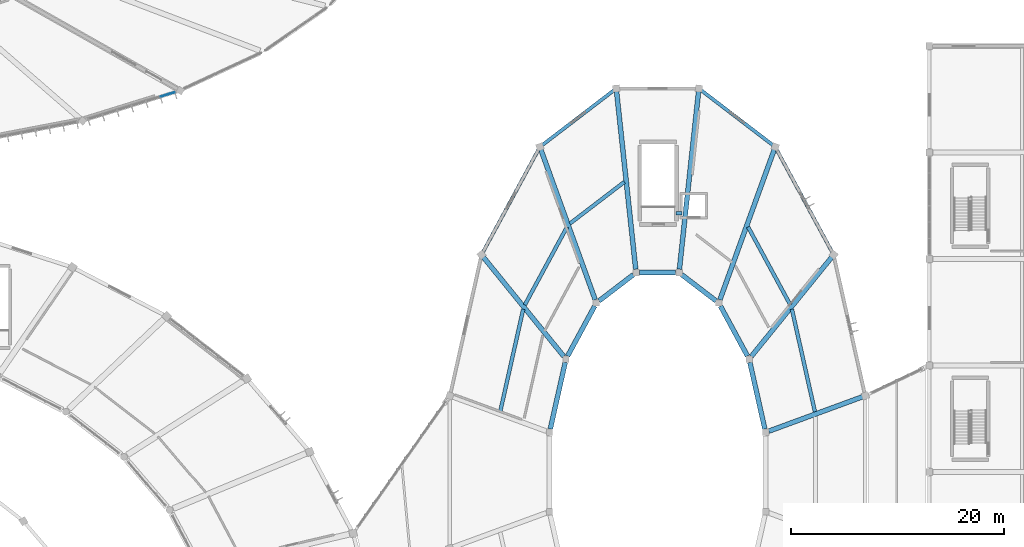
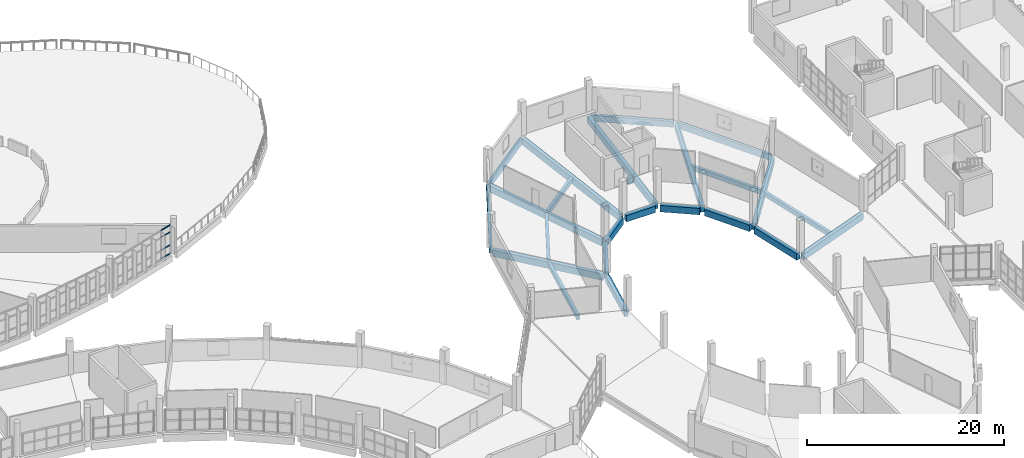
# One storey, part 62 of 142: 24 beams, 4 members, 1 element without a shape of its own.
"""IFC4 building model written with IfcOpenShell, lengths in metres."""

from ifc_helpers import new_model, si_unit, direction, frame, origin, origin_2d, place, context, subcontext, project, spatial, rectangle, extrude, material, layer, layer_set, material_profile, profile_set, type_object, element, aggregate, save


model = new_model("IFC4")

# Units and contexts
model_context = context("Model", 3, precision=1e-05, world=origin(), true_north=direction((0.0, 1.0)))
body_context = subcontext(model_context, "Body", "Model", "MODEL_VIEW")
ifc_project = project(units=[si_unit("LENGTHUNIT", "METRE"), si_unit("AREAUNIT", "SQUARE_METRE"), si_unit("VOLUMEUNIT", "CUBIC_METRE"), si_unit("PLANEANGLEUNIT", "RADIAN"), si_unit("MASSUNIT", "GRAM", prefix="KILO")], contexts=[model_context])

# Site, building, storey
site_placement = place(None, origin())
site = spatial("IfcSite", under=ifc_project, at=site_placement, CompositionType="ELEMENT")
building_placement = place(site_placement, origin())
building = spatial("IfcBuilding", under=site, at=building_placement, Name="Corvandel Quay Wholesale Market", CompositionType="ELEMENT")
storey_placement = place(building_placement, frame((0.0, 0.0, 10.800048828125)))
storey = spatial("IfcBuildingStorey", under=building, at=storey_placement, Name="L02", CompositionType="ELEMENT", Elevation=10.800048828125)

# Beams
ifc_material_1 = material(Name="Precast concrete C45/55", Category="concrete")
ifc_material_profile_1 = material_profile(ifc_material_1, rectangle(XDim=0.449951171875, YDim=0.800048828125, at=origin_2d()), Name="PC-GIR-450x800")
ifc_profile_set_1 = profile_set([ifc_material_profile_1], Name="Precast concrete C45/55")
beam_type_1 = type_object("IfcBeamType", Name="Auction Pavilion Girder G05 450x800", PredefinedType="USERDEFINED", material=ifc_profile_set_1)
beam_1_placement = place(storey_placement, frame((204.56982421875, 64.0361328125, -0.6201171875), z_axis=(-0.218962135598, 0.975733356596, 0.0), x_axis=(-0.975733356596, -0.218962135598, 0.0)))
element("IfcBeam", 1, at=beam_1_placement, inside=storey, type_object=beam_type_1, Name="Beam BM-0774", ObjectType="GIRDER", PredefinedType="USERDEFINED", context=body_context, shape_type="SweptSolid", body=[
    extrude(rectangle(XDim=0.449951171875, YDim=0.800048828125, at=origin_2d()), origin(), (0.0, 0.0, 1.0), 6.4111328125),
])
beam_2_placement = place(storey_placement, frame((213.74658203125, 67.06787109375, -0.6201171875), z_axis=(-0.938713588156, -0.344698127949, 0.0), x_axis=(0.344698127949, -0.938713588156, 0.0)))
element("IfcBeam", 2, at=beam_2_placement, inside=storey, type_object=beam_type_1, Name="Beam BM-0775", ObjectType="GIRDER", PredefinedType="USERDEFINED", context=body_context, shape_type="SweptSolid", body=[
    extrude(rectangle(XDim=0.449951171875, YDim=0.800048828125, at=origin_2d()), origin(), (0.0, 0.0, 1.0), 9.381103515625),
])
beam_3_placement = place(storey_placement, frame((202.943603515625, 70.885498046875, -0.6201171875), z_axis=(-0.476224328517, 0.879323824839, 0.0), x_axis=(-0.879323824839, -0.476224328517, 0.0)))
element("IfcBeam", 3, at=beam_3_placement, inside=storey, type_object=beam_type_1, Name="Beam BM-0785", ObjectType="GIRDER", PredefinedType="USERDEFINED", context=body_context, shape_type="SweptSolid", body=[
    extrude(rectangle(XDim=0.449951171875, YDim=0.800048828125, at=origin_2d()), origin(), (0.0, 0.0, 1.0), 5.3486328125),
])
beam_4_placement = place(storey_placement, frame((210.861083984375, 80.182373046875, -0.6201171875), z_axis=(-0.629738976738, -0.776806810718, 0.0), x_axis=(0.776806810718, -0.629738976738, 0.0)))
element("IfcBeam", 4, at=beam_4_placement, inside=storey, type_object=beam_type_1, Name="Beam BM-0786", ObjectType="GIRDER", PredefinedType="USERDEFINED", context=body_context, shape_type="SweptSolid", body=[
    extrude(rectangle(XDim=0.449951171875, YDim=0.800048828125, at=origin_2d()), origin(), (0.0, 0.0, 1.0), 12.010498046875),
])
beam_5_placement = place(storey_placement, frame((199.98974609375, 76.064453125, -0.6201171875), z_axis=(-0.794361253638, 0.607445634372, 0.0), x_axis=(-0.607445634372, -0.794361253638, 0.0)))
element("IfcBeam", 5, at=beam_5_placement, inside=storey, type_object=beam_type_1, Name="Beam BM-0795", ObjectType="GIRDER", PredefinedType="USERDEFINED", context=body_context, shape_type="SweptSolid", body=[
    extrude(rectangle(XDim=0.449951171875, YDim=0.800048828125, at=origin_2d()), origin(), (0.0, 0.0, 1.0), 4.0517578125),
])
beam_6_placement = place(storey_placement, frame((205.4541015625, 90.26513671875, -0.6201171875), z_axis=(-0.340336804359, -0.940303599695, 0.0), x_axis=(0.940303599695, -0.340336804359, 0.0)))
element("IfcBeam", 6, at=beam_6_placement, inside=storey, type_object=beam_type_1, Name="Beam BM-0796", ObjectType="GIRDER", PredefinedType="USERDEFINED", context=body_context, shape_type="SweptSolid", body=[
    extrude(rectangle(XDim=0.449951171875, YDim=0.800048828125, at=origin_2d()), origin(), (0.0, 0.0, 1.0), 14.989013671875),
])
beam_7_placement = place(storey_placement, frame((196.197021484375, 78.719970703125, -0.6201171875), z_axis=(-1.0, 0.0, 0.0), x_axis=(0.0, -1.0, 0.0)))
element("IfcBeam", 7, at=beam_7_placement, inside=storey, type_object=beam_type_1, Name="Beam BM-0804", ObjectType="GIRDER", PredefinedType="USERDEFINED", context=body_context, shape_type="SweptSolid", body=[
    extrude(rectangle(XDim=0.449951171875, YDim=0.800048828125, at=origin_2d()), origin(), (0.0, 0.0, 1.0), 3.39404296875),
])
beam_8_placement = place(storey_placement, frame((198.35009765625, 95.731689453125, -0.6201171875), z_axis=(-0.107135339087, -0.99424444636, 0.0), x_axis=(0.99424444636, -0.107135339087, 0.0)))
element("IfcBeam", 8, at=beam_8_placement, inside=storey, type_object=beam_type_1, Name="Beam BM-0805", ObjectType="GIRDER", PredefinedType="USERDEFINED", context=body_context, shape_type="SweptSolid", body=[
    extrude(rectangle(XDim=0.449951171875, YDim=0.800048828125, at=origin_2d()), origin(), (0.0, 0.0, 1.0), 16.790283203125),
])
beam_9_placement = place(storey_placement, frame((192.228759765625, 78.525634765625, -0.6201171875), z_axis=(-0.794361253638, -0.607445634372, 0.0), x_axis=(0.607445634372, -0.794361253638, 0.0)))
element("IfcBeam", 9, at=beam_9_placement, inside=storey, type_object=beam_type_1, Name="Beam BM-0814", ObjectType="GIRDER", PredefinedType="USERDEFINED", context=body_context, shape_type="SweptSolid", body=[
    extrude(rectangle(XDim=0.449951171875, YDim=0.800048828125, at=origin_2d()), origin(), (0.0, 0.0, 1.0), 4.0517578125),
])
beam_10_placement = place(storey_placement, frame((190.64990234375, 95.731689453125, -0.6201171875), z_axis=(0.107135339087, -0.99424444636, 0.0), x_axis=(0.99424444636, 0.107135339087, 0.0)))
element("IfcBeam", 10, at=beam_10_placement, inside=storey, type_object=beam_type_1, Name="Beam BM-0815", ObjectType="GIRDER", PredefinedType="USERDEFINED", context=body_context, shape_type="SweptSolid", body=[
    extrude(rectangle(XDim=0.449951171875, YDim=0.800048828125, at=origin_2d()), origin(), (0.0, 0.0, 1.0), 16.790283203125),
])
beam_11_placement = place(storey_placement, frame((188.603515625, 75.588623046875, -0.6201171875), z_axis=(-0.476224328517, -0.879323824839, 0.0), x_axis=(0.879323824839, -0.476224328517, 0.0)))
element("IfcBeam", 11, at=beam_11_placement, inside=storey, type_object=beam_type_1, Name="Beam BM-0825", ObjectType="GIRDER", PredefinedType="USERDEFINED", context=body_context, shape_type="SweptSolid", body=[
    extrude(rectangle(XDim=0.449951171875, YDim=0.800048828125, at=origin_2d()), origin(), (0.0, 0.0, 1.0), 5.3486328125),
])
beam_12_placement = place(storey_placement, frame((183.5458984375, 90.26513671875, -0.6201171875), z_axis=(0.340336804359, -0.940303599695, 0.0), x_axis=(0.940303599695, 0.340336804359, 0.0)))
element("IfcBeam", 12, at=beam_12_placement, inside=storey, type_object=beam_type_1, Name="Beam BM-0826", ObjectType="GIRDER", PredefinedType="USERDEFINED", context=body_context, shape_type="SweptSolid", body=[
    extrude(rectangle(XDim=0.449951171875, YDim=0.800048828125, at=origin_2d()), origin(), (0.0, 0.0, 1.0), 14.989013671875),
])
beam_13_placement = place(storey_placement, frame((185.833984375, 70.291748046875, -0.6201171875), z_axis=(-0.218962135598, -0.975733356596, 0.0), x_axis=(0.975733356596, -0.218962135598, 0.0)))
element("IfcBeam", 13, at=beam_13_placement, inside=storey, type_object=beam_type_1, Name="Beam BM-0836", ObjectType="GIRDER", PredefinedType="USERDEFINED", context=body_context, shape_type="SweptSolid", body=[
    extrude(rectangle(XDim=0.449951171875, YDim=0.800048828125, at=origin_2d()), origin(), (0.0, 0.0, 1.0), 6.4111328125),
])
beam_14_placement = place(storey_placement, frame((178.138916015625, 80.182373046875, -0.6201171875), z_axis=(0.629738976738, -0.776806810718, 0.0), x_axis=(0.776806810718, 0.629738976738, 0.0)))
element("IfcBeam", 14, at=beam_14_placement, inside=storey, type_object=beam_type_1, Name="Beam BM-0837", ObjectType="GIRDER", PredefinedType="USERDEFINED", context=body_context, shape_type="SweptSolid", body=[
    extrude(rectangle(XDim=0.449951171875, YDim=0.800048828125, at=origin_2d()), origin(), (0.0, 0.0, 1.0), 12.010498046875),
])
ifc_material_2 = material(Name="Concrete C40/50", Category="concrete")
ifc_material_profile_2 = material_profile(ifc_material_2, rectangle(XDim=0.35009765625, YDim=0.800048828125, at=origin_2d()), Name="RC-CPL-350x800")
ifc_profile_set_2 = profile_set([ifc_material_profile_2], Name="Concrete C40/50")
beam_type_2 = type_object("IfcBeamType", Name="Core Shear Wall Coupling Beam CP01 350x800", PredefinedType="BEAM", material=ifc_profile_set_2)
beam_15_placement = place(storey_placement, frame((196.22509765625, 84.300048828125, -0.650146484375), z_axis=(1.0, 0.0, 0.0), x_axis=(0.0, 1.0, 0.0)))
element("IfcBeam", 15, at=beam_15_placement, inside=storey, type_object=beam_type_2, Name="Core Coupling Beam K3-L02", PredefinedType="BEAM", context=body_context, shape_type="SweptSolid", body=[
    extrude(rectangle(XDim=0.35009765625, YDim=0.800048828125, at=origin_2d()), origin(), (0.0, 0.0, 1.0), 0.5498046875),
])

# Curtain wall, members
ifc_material_3 = material(Name="Bronze anodised aluminium and low-E insulated glazing", Category="aluminium")
ifc_layer = layer(ifc_material_3, 0.197998046875)
ifc_layer_set = layer_set([ifc_layer], Name="Bronze anodised aluminium and low-E insulated glazing")
curtain_wall_type = type_object("IfcCurtainWallType", Name="Stick Curtain Wall System CW09 H3810", PredefinedType="NOTDEFINED", material=ifc_layer_set)
curtain_wall_placement = place(storey_placement, origin())
curtain_wall = element("IfcCurtainWall", 16, at=curtain_wall_placement, inside=storey, type_object=curtain_wall_type, Name="Curtain Wall CW-0123", PredefinedType="NOTDEFINED")
ifc_material_4 = material(Name="Anodised aluminium 6063-T6", Category="aluminium")
ifc_material_profile_3 = material_profile(ifc_material_4, rectangle(XDim=0.06005859375, YDim=0.110107421875, at=origin_2d()), Name="ALU-TRN-60x110")
ifc_profile_set_3 = profile_set([ifc_material_profile_3], Name="Anodised aluminium 6063-T6")
member_type = type_object("IfcMemberType", Name="Curtain Wall Transom TR02 60x110", PredefinedType="USERDEFINED", material=ifc_profile_set_3)
member_1_placement = place(storey_placement, frame((147.856689453125, 95.23291015625, 0.0), z_axis=(0.955102806569, 0.296274583595, 0.0), x_axis=(-0.296274583595, 0.955102806569, 0.0)))
member_1 = element("IfcMember", 17, at=member_1_placement, type_object=member_type, Name="Transom CW-0123-T05-0", ObjectType="TRANSOM", PredefinedType="USERDEFINED", context=body_context, shape_type="SweptSolid", body=[
    extrude(rectangle(XDim=0.06005859375, YDim=0.110107421875, at=origin_2d()), origin(), (0.0, 0.0, 1.0), 1.35546875),
])
member_2_placement = place(storey_placement, frame((147.856689453125, 95.23291015625, 1.050048828125), z_axis=(0.955102806569, 0.296274583595, 0.0), x_axis=(-0.296274583595, 0.955102806569, 0.0)))
member_2 = element("IfcMember", 18, at=member_2_placement, type_object=member_type, Name="Transom CW-0123-T05-1", ObjectType="TRANSOM", PredefinedType="USERDEFINED", context=body_context, shape_type="SweptSolid", body=[
    extrude(rectangle(XDim=0.06005859375, YDim=0.110107421875, at=origin_2d()), origin(), (0.0, 0.0, 1.0), 1.35546875),
])
member_3_placement = place(storey_placement, frame((147.856689453125, 95.23291015625, 2.64990234375), z_axis=(0.955102806569, 0.296274583595, 0.0), x_axis=(-0.296274583595, 0.955102806569, 0.0)))
member_3 = element("IfcMember", 19, at=member_3_placement, type_object=member_type, Name="Transom CW-0123-T05-2", ObjectType="TRANSOM", PredefinedType="USERDEFINED", context=body_context, shape_type="SweptSolid", body=[
    extrude(rectangle(XDim=0.06005859375, YDim=0.110107421875, at=origin_2d()), origin(), (0.0, 0.0, 1.0), 1.35546875),
])
member_4_placement = place(storey_placement, frame((147.856689453125, 95.23291015625, 3.5), z_axis=(0.955102806569, 0.296274583595, 0.0), x_axis=(-0.296274583595, 0.955102806569, 0.0)))
member_4 = element("IfcMember", 20, at=member_4_placement, type_object=member_type, Name="Transom CW-0123-T05-3", ObjectType="TRANSOM", PredefinedType="USERDEFINED", context=body_context, shape_type="SweptSolid", body=[
    extrude(rectangle(XDim=0.06005859375, YDim=0.110107421875, at=origin_2d()), origin(), (0.0, 0.0, 1.0), 1.35546875),
])
aggregate(curtain_wall, [member_1, member_2, member_3, member_4])

# Beams
ifc_material_profile_4 = material_profile(ifc_material_1, rectangle(XDim=0.320068359375, YDim=0.75, at=origin_2d()), Name="PC-SPN-320x750")
ifc_profile_set_4 = profile_set([ifc_material_profile_4], Name="Precast concrete C45/55")
beam_type_3 = type_object("IfcBeamType", Name="Pavilion Precast Spandrel SP02 320x750", PredefinedType="SPANDREL", material=ifc_profile_set_4)
beam_16_placement = place(storey_placement, frame((210.90234375, 80.62939453125, -0.594970703125), z_axis=(-0.476252338863, 0.879308654414, 0.0), x_axis=(-0.879308654414, -0.476252338863, 0.0)))
element("IfcBeam", 21, at=beam_16_placement, inside=storey, type_object=beam_type_3, Name="Beam BM-0784", PredefinedType="SPANDREL", context=body_context, shape_type="SweptSolid", body=[
    extrude(rectangle(XDim=0.320068359375, YDim=0.75, at=origin_2d()), origin(), (0.0, 0.0, 1.0), 10.976806640625),
])
for number, where, z_axis, x_axis, name in (
    (22, (205.33154296875, 90.68310546875, -0.594970703125), (-0.794345578607, 0.607466132182, 0.0), (-0.607466132182, -0.794345578607, 0.0), "Beam BM-0794"),
    (23, (190.406494140625, 95.8359375, -0.594970703125), (-0.794345578607, -0.607466132182, 0.0), (0.607466132182, -0.794345578607, 0.0), "Beam BM-0813"),
):
    element("IfcBeam", number, at=place(storey_placement, frame(where, z_axis=z_axis, x_axis=x_axis)), inside=storey, type_object=beam_type_3, Name=name, PredefinedType="SPANDREL", context=body_context, shape_type="SweptSolid", body=[
        extrude(rectangle(XDim=0.320068359375, YDim=0.75, at=origin_2d()), origin(), (0.0, 0.0, 1.0), 8.482421875),
    ])
beam_17_placement = place(storey_placement, frame((183.325439453125, 90.281494140625, -0.594970703125), z_axis=(-0.476252338863, -0.879308654414, 0.0), x_axis=(0.879308654414, -0.476252338863, 0.0)))
element("IfcBeam", 24, at=beam_17_placement, inside=storey, type_object=beam_type_3, Name="Beam BM-0824", PredefinedType="SPANDREL", context=body_context, shape_type="SweptSolid", body=[
    extrude(rectangle(XDim=0.320068359375, YDim=0.75, at=origin_2d()), origin(), (0.0, 0.0, 1.0), 10.976806640625),
])
ifc_material_profile_5 = material_profile(ifc_material_1, rectangle(XDim=0.35009765625, YDim=0.550048828125, at=origin_2d()), Name="PC-BM-350x550")
ifc_profile_set_5 = profile_set([ifc_material_profile_5], Name="Precast concrete C45/55")
beam_type_4 = type_object("IfcBeamType", Name="Standard Floor Secondary Beam B03 350x550", PredefinedType="BEAM", material=ifc_profile_set_5)
beam_18_placement = place(storey_placement, frame((209.27294921875, 65.65234375, -0.4951171875), z_axis=(-0.218963891009, 0.975732962667, 0.0), x_axis=(-0.975732962667, -0.218963891009, 0.0)))
element("IfcBeam", 25, at=beam_18_placement, inside=storey, type_object=beam_type_4, Name="Beam BM-0776", PredefinedType="BEAM", context=body_context, shape_type="SweptSolid", body=[
    extrude(rectangle(XDim=0.35009765625, YDim=0.550048828125, at=origin_2d()), origin(), (0.0, 0.0, 1.0), 9.87548828125),
])
beam_19_placement = place(storey_placement, frame((206.961181640625, 75.68701171875, -0.4951171875), z_axis=(-0.476260468975, 0.879304250923, 0.0), x_axis=(-0.879304250923, -0.476260468975, 0.0)))
element("IfcBeam", 26, at=beam_19_placement, inside=storey, type_object=beam_type_4, Name="Beam BM-0787", PredefinedType="BEAM", context=body_context, shape_type="SweptSolid", body=[
    extrude(rectangle(XDim=0.35009765625, YDim=0.550048828125, at=origin_2d()), origin(), (0.0, 0.0, 1.0), 8.322998046875),
])
beam_20_placement = place(storey_placement, frame((191.381103515625, 87.2294921875, -0.4951171875), z_axis=(-0.794335189832, -0.607479716694, 0.0), x_axis=(0.607479716694, -0.794335189832, 0.0)))
element("IfcBeam", 27, at=beam_20_placement, inside=storey, type_object=beam_type_4, Name="Beam BM-0816", PredefinedType="BEAM", context=body_context, shape_type="SweptSolid", body=[
    extrude(rectangle(XDim=0.35009765625, YDim=0.550048828125, at=origin_2d()), origin(), (0.0, 0.0, 1.0), 6.427001953125),
])
beam_21_placement = place(storey_placement, frame((186.002685546875, 83.00537109375, -0.4951171875), z_axis=(-0.476260468975, -0.879304250923, 0.0), x_axis=(0.879304250923, -0.476260468975, 0.0)))
element("IfcBeam", 28, at=beam_21_placement, inside=storey, type_object=beam_type_4, Name="Beam BM-0827", PredefinedType="BEAM", context=body_context, shape_type="SweptSolid", body=[
    extrude(rectangle(XDim=0.35009765625, YDim=0.550048828125, at=origin_2d()), origin(), (0.0, 0.0, 1.0), 8.322998046875),
])
beam_22_placement = place(storey_placement, frame((181.889404296875, 75.2880859375, -0.4951171875), z_axis=(-0.218963891009, -0.975732962667, 0.0), x_axis=(0.975732962667, -0.218963891009, 0.0)))
element("IfcBeam", 29, at=beam_22_placement, inside=storey, type_object=beam_type_4, Name="Beam BM-0838", PredefinedType="BEAM", context=body_context, shape_type="SweptSolid", body=[
    extrude(rectangle(XDim=0.35009765625, YDim=0.550048828125, at=origin_2d()), origin(), (0.0, 0.0, 1.0), 9.87548828125),
])

save(model, "model.ifc")
